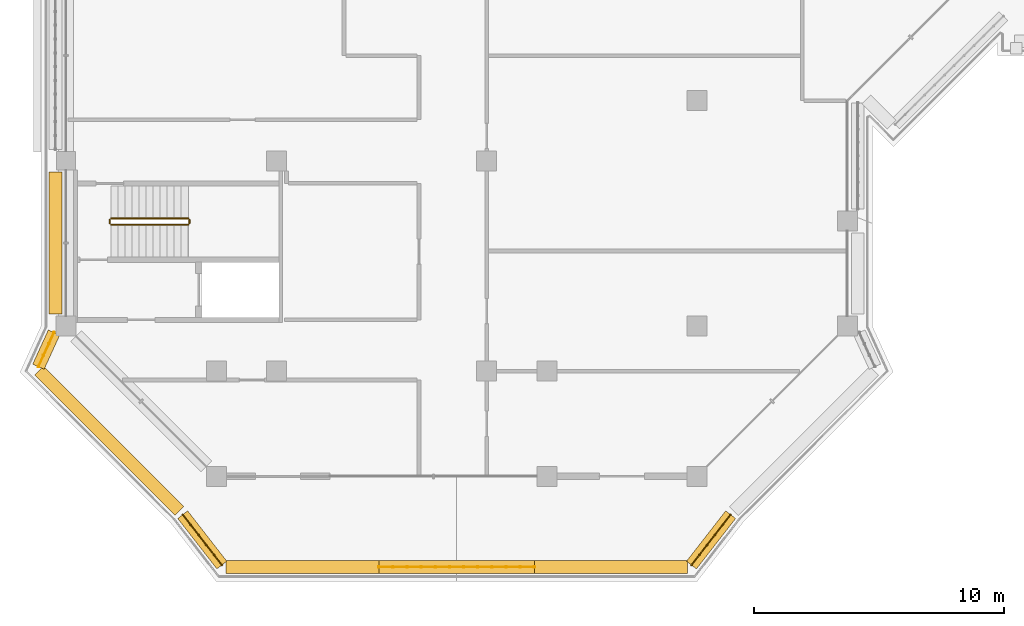
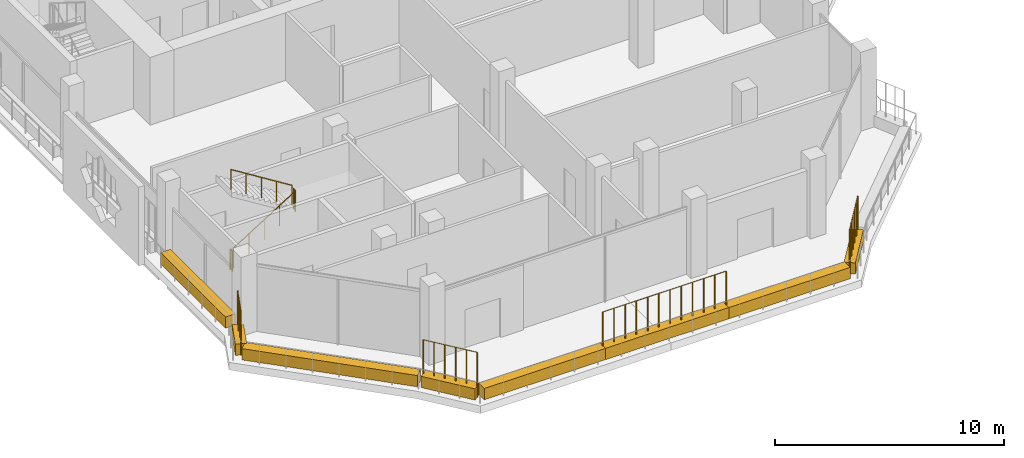
# One storey, part 14 of 22: 8 coverings, 8 railings.
"""IFC4 building model written with IfcOpenShell, lengths in metres."""

from ifc_helpers import new_model, si_unit, direction, frame, origin, origin_2d, place, context, subcontext, project, spatial, rectangle, circle, extrude, material, material_profile, profile_set, type_object, element, save


model = new_model("IFC4")

# Units and contexts
model_context = context("Model", 3, precision=1e-05, world=origin(), true_north=direction((0.0, 1.0)))
body_context = subcontext(model_context, "Body", "Model", "MODEL_VIEW")
ifc_project = project(units=[si_unit("LENGTHUNIT", "METRE"), si_unit("AREAUNIT", "SQUARE_METRE"), si_unit("VOLUMEUNIT", "CUBIC_METRE"), si_unit("PLANEANGLEUNIT", "RADIAN"), si_unit("MASSUNIT", "GRAM", prefix="KILO")], contexts=[model_context])

# Site, building, storey
site_placement = place(None, origin())
site = spatial("IfcSite", under=ifc_project, at=site_placement, CompositionType="ELEMENT")
building_placement = place(site_placement, origin())
building = spatial("IfcBuilding", under=site, at=building_placement, Name="Kawkab Arch Medical Tower", CompositionType="ELEMENT")
storey_placement = place(building_placement, frame((0.0, 0.0, 286.0)))
storey = spatial("IfcBuildingStorey", under=building, at=storey_placement, Name="L66", CompositionType="ELEMENT", Elevation=286.0)

# Coverings
ifc_material_1 = material(Name="Planting soil in a precast trough", Category="concrete")
ifc_material_profile = material_profile(ifc_material_1, rectangle(XDim=0.5, YDim=0.60009765625, at=origin_2d()), Name="Trough 500x600")
ifc_profile_set = profile_set([ifc_material_profile], Name="Planting soil in a precast trough")
covering_type = type_object("IfcCoveringType", Name="Planter trough 500 x 600", PredefinedType="USERDEFINED", material=ifc_profile_set)
covering_1_placement = place(storey_placement, frame((6.221923828125, -49.740966796875, 0.300048828125), z_axis=(-0.61404021143, 0.789274742246, 0.0), x_axis=(-0.789274742246, -0.61404021143, 0.0)))
element("IfcCovering", 1, at=covering_1_placement, inside=storey, type_object=covering_type, Name="Planter L66.LOG-01-02.1", ObjectType="PLANTER", PredefinedType="USERDEFINED", context=body_context, shape_type="SweptSolid", body=[
    extrude(rectangle(XDim=0.5, YDim=0.60009765625, at=origin_2d()), origin(), (0.0, 0.0, 1.0), 2.54541015625),
])
covering_2_placement = place(storey_placement, frame((4.527099609375, -47.5830078125, 0.300048828125), z_axis=(-0.707106781187, 0.707106781187, 0.0), x_axis=(-0.707106781187, -0.707106781187, 0.0)))
element("IfcCovering", 2, at=covering_2_placement, inside=storey, type_object=covering_type, Name="Planter L66.LOG-01-02.2", ObjectType="PLANTER", PredefinedType="USERDEFINED", context=body_context, shape_type="SweptSolid", body=[
    extrude(rectangle(XDim=0.5, YDim=0.60009765625, at=origin_2d()), origin(), (0.0, 0.0, 1.0), 7.919677734375),
])
covering_3_placement = place(storey_placement, frame((-1.10205078125, -41.821044921875, 0.300048828125), z_axis=(0.415189748133, 0.909734836667, 0.0), x_axis=(-0.909734836667, 0.415189748133, 0.0)))
element("IfcCovering", 3, at=covering_3_placement, inside=storey, type_object=covering_type, Name="Planter L66.LOG-01-02.3", ObjectType="PLANTER", PredefinedType="USERDEFINED", context=body_context, shape_type="SweptSolid", body=[
    extrude(rectangle(XDim=0.5, YDim=0.60009765625, at=origin_2d()), origin(), (0.0, 0.0, 1.0), 1.498291015625),
])
covering_4_placement = place(storey_placement, frame((-0.419921875, -39.719970703125, 0.300048828125), z_axis=(0.0, 1.0, 0.0), x_axis=(-1.0, 0.0, 0.0)))
element("IfcCovering", 4, at=covering_4_placement, inside=storey, type_object=covering_type, Name="Planter L66.LOG-01-02.4", ObjectType="PLANTER", PredefinedType="USERDEFINED", context=body_context, shape_type="SweptSolid", body=[
    extrude(rectangle(XDim=0.5, YDim=0.60009765625, at=origin_2d()), origin(), (0.0, 0.0, 1.0), 5.6669921875),
])
covering_5_placement = place(storey_placement, frame((26.541015625, -47.73193359375, 0.300048828125), z_axis=(-0.61404021143, -0.789274742246, 0.0), x_axis=(0.789274742246, -0.61404021143, 0.0)))
element("IfcCovering", 5, at=covering_5_placement, inside=storey, type_object=covering_type, Name="Planter L66.LOG-01-02.37", ObjectType="PLANTER", PredefinedType="USERDEFINED", context=body_context, shape_type="SweptSolid", body=[
    extrude(rectangle(XDim=0.5, YDim=0.60009765625, at=origin_2d()), origin(), (0.0, 0.0, 1.0), 2.54541015625),
])
covering_6_placement = place(storey_placement, frame((24.81591796875, -49.820068359375, 0.300048828125), z_axis=(-1.0, 0.0, 0.0), x_axis=(0.0, -1.0, 0.0)))
element("IfcCovering", 6, at=covering_6_placement, inside=storey, type_object=covering_type, Name="Planter L66.LOG-01-02.38", ObjectType="PLANTER", PredefinedType="USERDEFINED", context=body_context, shape_type="SweptSolid", body=[
    extrude(rectangle(XDim=0.5, YDim=0.60009765625, at=origin_2d()), origin(), (0.0, 0.0, 1.0), 6.11083984375),
])
covering_7_placement = place(storey_placement, frame((18.705078125, -49.820068359375, 0.300048828125), z_axis=(-1.0, 0.0, 0.0), x_axis=(0.0, -1.0, 0.0)))
element("IfcCovering", 7, at=covering_7_placement, inside=storey, type_object=covering_type, Name="Planter L66.LOG-01-02.39", ObjectType="PLANTER", PredefinedType="USERDEFINED", context=body_context, shape_type="SweptSolid", body=[
    extrude(rectangle(XDim=0.5, YDim=0.60009765625, at=origin_2d()), origin(), (0.0, 0.0, 1.0), 6.2099609375),
])
covering_8_placement = place(storey_placement, frame((12.4951171875, -49.820068359375, 0.300048828125), z_axis=(-1.0, 0.0, 0.0), x_axis=(0.0, -1.0, 0.0)))
element("IfcCovering", 8, at=covering_8_placement, inside=storey, type_object=covering_type, Name="Planter L66.LOG-01-02.40", ObjectType="PLANTER", PredefinedType="USERDEFINED", context=body_context, shape_type="SweptSolid", body=[
    extrude(rectangle(XDim=0.5, YDim=0.60009765625, at=origin_2d()), origin(), (0.0, 0.0, 1.0), 6.111083984375),
])

# Railings
ifc_material_2 = material(Name="Bronze anodised aluminium trellis for climbing plants", Category="aluminium")
railing_type_1 = type_object("IfcRailingType", Name="Planting trellis 2400", PredefinedType="USERDEFINED", material=ifc_material_2)
railing_1_placement = place(storey_placement, frame((6.221923828125, -49.740966796875, 0.0)))
element("IfcRailing", 9, at=railing_1_placement, inside=storey, type_object=railing_type_1, Name="Planting trellis L66.LOG-01-02.1", ObjectType="TRELLIS", PredefinedType="USERDEFINED", context=body_context, shape_type="SweptSolid", body=[
    extrude(circle(Radius=0.01513671875, at=origin_2d()), frame((0.0, 0.0, 2.384765625), z_axis=(-0.61404021143, 0.789274742246, 0.0), x_axis=(-0.789274742246, -0.61404021143, 0.0)), (0.0, 0.0, 1.0), 2.54541015625),
    extrude(circle(Radius=0.030029296875, at=origin_2d()), origin(), (0.0, 0.0, 1.0), 2.369873046875),
    extrude(circle(Radius=0.030029296875, at=origin_2d()), frame((-0.3125, 0.40185546875, 0.0)), (0.0, 0.0, 1.0), 2.369873046875),
    extrude(circle(Radius=0.030029296875, at=origin_2d()), frame((-0.625244140625, 0.8037109375, 0.0)), (0.0, 0.0, 1.0), 2.369873046875),
    extrude(circle(Radius=0.030029296875, at=origin_2d()), frame((-0.937744140625, 1.205322265625, 0.0)), (0.0, 0.0, 1.0), 2.369873046875),
    extrude(circle(Radius=0.030029296875, at=origin_2d()), frame((-1.25048828125, 1.607177734375, 0.0)), (0.0, 0.0, 1.0), 2.369873046875),
    extrude(circle(Radius=0.030029296875, at=origin_2d()), frame((-1.56298828125, 2.009033203125, 0.0)), (0.0, 0.0, 1.0), 2.369873046875),
])
railing_2_placement = place(storey_placement, frame((-1.10205078125, -41.821044921875, 0.0)))
element("IfcRailing", 10, at=railing_2_placement, inside=storey, type_object=railing_type_1, Name="Planting trellis L66.LOG-01-02.3", ObjectType="TRELLIS", PredefinedType="USERDEFINED", context=body_context, shape_type="SweptSolid", body=[
    extrude(circle(Radius=0.01513671875, at=origin_2d()), frame((0.0, 0.0, 2.384765625), z_axis=(0.415189748133, 0.909734836667, 0.0), x_axis=(-0.909734836667, 0.415189748133, 0.0)), (0.0, 0.0, 1.0), 1.498291015625),
    extrude(circle(Radius=0.030029296875, at=origin_2d()), origin(), (0.0, 0.0, 1.0), 2.369873046875),
    extrude(circle(Radius=0.030029296875, at=origin_2d()), frame((0.207275390625, 0.454345703125, 0.0)), (0.0, 0.0, 1.0), 2.369873046875),
    extrude(circle(Radius=0.030029296875, at=origin_2d()), frame((0.414794921875, 0.90869140625, 0.0)), (0.0, 0.0, 1.0), 2.369873046875),
    extrude(circle(Radius=0.030029296875, at=origin_2d()), frame((0.6220703125, 1.363037109375, 0.0)), (0.0, 0.0, 1.0), 2.369873046875),
])
railing_3_placement = place(storey_placement, frame((26.541015625, -47.73193359375, 0.0)))
element("IfcRailing", 11, at=railing_3_placement, inside=storey, type_object=railing_type_1, Name="Planting trellis L66.LOG-01-02.37", ObjectType="TRELLIS", PredefinedType="USERDEFINED", context=body_context, shape_type="SweptSolid", body=[
    extrude(circle(Radius=0.01513671875, at=origin_2d()), frame((0.0, 0.0, 2.384765625), z_axis=(-0.61404021143, -0.789274742246, 0.0), x_axis=(0.789274742246, -0.61404021143, 0.0)), (0.0, 0.0, 1.0), 2.54541015625),
    extrude(circle(Radius=0.030029296875, at=origin_2d()), origin(), (0.0, 0.0, 1.0), 2.369873046875),
    extrude(circle(Radius=0.030029296875, at=origin_2d()), frame((-0.3125, -0.40185546875, 0.0)), (0.0, 0.0, 1.0), 2.369873046875),
    extrude(circle(Radius=0.030029296875, at=origin_2d()), frame((-0.625244140625, -0.8037109375, 0.0)), (0.0, 0.0, 1.0), 2.369873046875),
    extrude(circle(Radius=0.030029296875, at=origin_2d()), frame((-0.937744140625, -1.205322265625, 0.0)), (0.0, 0.0, 1.0), 2.369873046875),
    extrude(circle(Radius=0.030029296875, at=origin_2d()), frame((-1.25048828125, -1.607177734375, 0.0)), (0.0, 0.0, 1.0), 2.369873046875),
    extrude(circle(Radius=0.030029296875, at=origin_2d()), frame((-1.56298828125, -2.009033203125, 0.0)), (0.0, 0.0, 1.0), 2.369873046875),
])
railing_4_placement = place(storey_placement, frame((18.705078125, -49.820068359375, 0.0)))
element("IfcRailing", 12, at=railing_4_placement, inside=storey, type_object=railing_type_1, Name="Planting trellis L66.LOG-01-02.39", ObjectType="TRELLIS", PredefinedType="USERDEFINED", context=body_context, shape_type="SweptSolid", body=[
    extrude(circle(Radius=0.01513671875, at=origin_2d()), frame((0.0, 0.0, 2.384765625), z_axis=(-1.0, 0.0, 0.0), x_axis=(0.0, -1.0, 0.0)), (0.0, 0.0, 1.0), 6.2099609375),
    extrude(circle(Radius=0.030029296875, at=origin_2d()), origin(), (0.0, 0.0, 1.0), 2.369873046875),
    extrude(circle(Radius=0.030029296875, at=origin_2d()), frame((-0.564453125, 0.0, 0.0)), (0.0, 0.0, 1.0), 2.369873046875),
    extrude(circle(Radius=0.030029296875, at=origin_2d()), frame((-1.129150390625, 0.0, 0.0)), (0.0, 0.0, 1.0), 2.369873046875),
    extrude(circle(Radius=0.030029296875, at=origin_2d()), frame((-1.693603515625, 0.0, 0.0)), (0.0, 0.0, 1.0), 2.369873046875),
    extrude(circle(Radius=0.030029296875, at=origin_2d()), frame((-2.258056640625, 0.0, 0.0)), (0.0, 0.0, 1.0), 2.369873046875),
    extrude(circle(Radius=0.030029296875, at=origin_2d()), frame((-2.82275390625, 0.0, 0.0)), (0.0, 0.0, 1.0), 2.369873046875),
    extrude(circle(Radius=0.030029296875, at=origin_2d()), frame((-3.38720703125, 0.0, 0.0)), (0.0, 0.0, 1.0), 2.369873046875),
    extrude(circle(Radius=0.030029296875, at=origin_2d()), frame((-3.951904296875, 0.0, 0.0)), (0.0, 0.0, 1.0), 2.369873046875),
    extrude(circle(Radius=0.030029296875, at=origin_2d()), frame((-4.516357421875, 0.0, 0.0)), (0.0, 0.0, 1.0), 2.369873046875),
    extrude(circle(Radius=0.030029296875, at=origin_2d()), frame((-5.080810546875, 0.0, 0.0)), (0.0, 0.0, 1.0), 2.369873046875),
    extrude(circle(Radius=0.030029296875, at=origin_2d()), frame((-5.6455078125, 0.0, 0.0)), (0.0, 0.0, 1.0), 2.369873046875),
    extrude(circle(Radius=0.030029296875, at=origin_2d()), frame((-6.2099609375, 0.0, 0.0)), (0.0, 0.0, 1.0), 2.369873046875),
])
ifc_material_3 = material(Name="Stainless steel", Category="steel")
railing_type_2 = type_object("IfcRailingType", Name="Stair guard 1100", PredefinedType="GUARDRAIL", material=ifc_material_3)
railing_5_placement = place(storey_placement, frame((1.800048828125, -36.14990234375, 0.175048828125)))
element("IfcRailing", 13, at=railing_5_placement, inside=storey, type_object=railing_type_2, Name="L66 ST6 stair guard 1", PredefinedType="GUARDRAIL", context=body_context, shape_type="SweptSolid", body=[
    extrude(circle(Radius=0.02392578125, at=origin_2d()), frame((0.0, 0.0, 1.076171875), z_axis=(0.847979421464, 0.0, 0.530029150871), x_axis=(0.0, 1.0, 0.0)), (0.0, 0.0, 1.0), 3.632080078125),
    extrude(circle(Radius=0.02099609375, at=origin_2d()), origin(), (0.0, 0.0, 1.0), 1.052001953125),
    extrude(circle(Radius=0.02099609375, at=origin_2d()), frame((0.77001953125, 0.0, 0.481201171875)), (0.0, 0.0, 1.0), 1.052001953125),
    extrude(circle(Radius=0.02099609375, at=origin_2d()), frame((1.5400390625, 0.0, 0.96240234375)), (0.0, 0.0, 1.0), 1.052001953125),
    extrude(circle(Radius=0.02099609375, at=origin_2d()), frame((2.309814453125, 0.0, 1.44384765625)), (0.0, 0.0, 1.0), 1.052001953125),
    extrude(circle(Radius=0.02099609375, at=origin_2d()), frame((3.079833984375, 0.0, 1.925048828125)), (0.0, 0.0, 1.0), 1.052001953125),
])
railing_6_placement = place(storey_placement, frame((4.929931640625, -36.10009765625, 2.10009765625)))
element("IfcRailing", 14, at=railing_6_placement, inside=storey, type_object=railing_type_2, Name="L66 ST6 stair guard 2", PredefinedType="GUARDRAIL", context=body_context, shape_type="SweptSolid", body=[
    extrude(circle(Radius=0.02392578125, at=origin_2d()), frame((0.0, 0.0, 1.076171875), z_axis=(0.0, 1.0, 0.0), x_axis=(-1.0, 0.0, 0.0)), (0.0, 0.0, 1.0), 0.150146484375),
    extrude(circle(Radius=0.02099609375, at=origin_2d()), origin(), (0.0, 0.0, 1.0), 1.052001953125),
    extrude(circle(Radius=0.02099609375, at=origin_2d()), frame((0.0, 0.150146484375, 0.0)), (0.0, 0.0, 1.0), 1.052001953125),
])
railing_7_placement = place(storey_placement, frame((4.8798828125, -35.89990234375, 2.27490234375)))
element("IfcRailing", 15, at=railing_7_placement, inside=storey, type_object=railing_type_2, Name="L66 ST6 stair guard 3", PredefinedType="GUARDRAIL", context=body_context, shape_type="SweptSolid", body=[
    extrude(circle(Radius=0.02392578125, at=origin_2d()), frame((0.0, 0.0, 1.076171875), z_axis=(-0.847979421464, 0.0, 0.530029150871), x_axis=(0.0, -1.0, 0.0)), (0.0, 0.0, 1.0), 3.632080078125),
    extrude(circle(Radius=0.02099609375, at=origin_2d()), origin(), (0.0, 0.0, 1.0), 1.052001953125),
    extrude(circle(Radius=0.02099609375, at=origin_2d()), frame((-0.77001953125, 0.0, 0.481201171875)), (0.0, 0.0, 1.0), 1.052001953125),
    extrude(circle(Radius=0.02099609375, at=origin_2d()), frame((-1.5400390625, 0.0, 0.96240234375)), (0.0, 0.0, 1.0), 1.052001953125),
    extrude(circle(Radius=0.02099609375, at=origin_2d()), frame((-2.309814453125, 0.0, 1.44384765625)), (0.0, 0.0, 1.0), 1.052001953125),
    extrude(circle(Radius=0.02099609375, at=origin_2d()), frame((-3.079833984375, 0.0, 1.925048828125)), (0.0, 0.0, 1.0), 1.052001953125),
])
railing_8_placement = place(storey_placement, frame((1.75, -36.10009765625, 0.0)))
element("IfcRailing", 16, at=railing_8_placement, inside=storey, type_object=railing_type_2, Name="L66 ST6 stair guard 4", PredefinedType="GUARDRAIL", context=body_context, shape_type="SweptSolid", body=[
    extrude(circle(Radius=0.02392578125, at=origin_2d()), frame((0.0, 0.0, 1.076171875), z_axis=(0.0, 1.0, 0.0), x_axis=(-1.0, 0.0, 0.0)), (0.0, 0.0, 1.0), 0.150146484375),
    extrude(circle(Radius=0.02099609375, at=origin_2d()), origin(), (0.0, 0.0, 1.0), 1.052001953125),
    extrude(circle(Radius=0.02099609375, at=origin_2d()), frame((0.0, 0.150146484375, 0.0)), (0.0, 0.0, 1.0), 1.052001953125),
])

save(model, "model.ifc")
